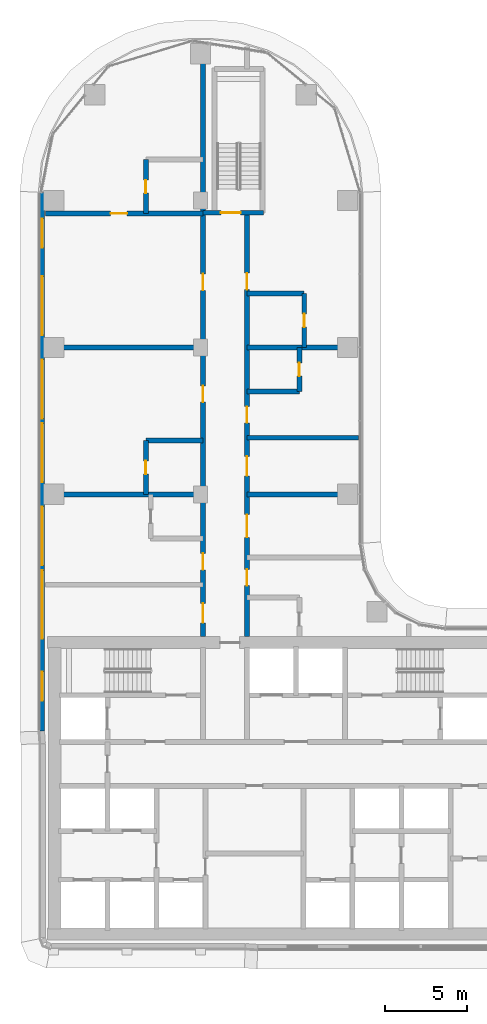
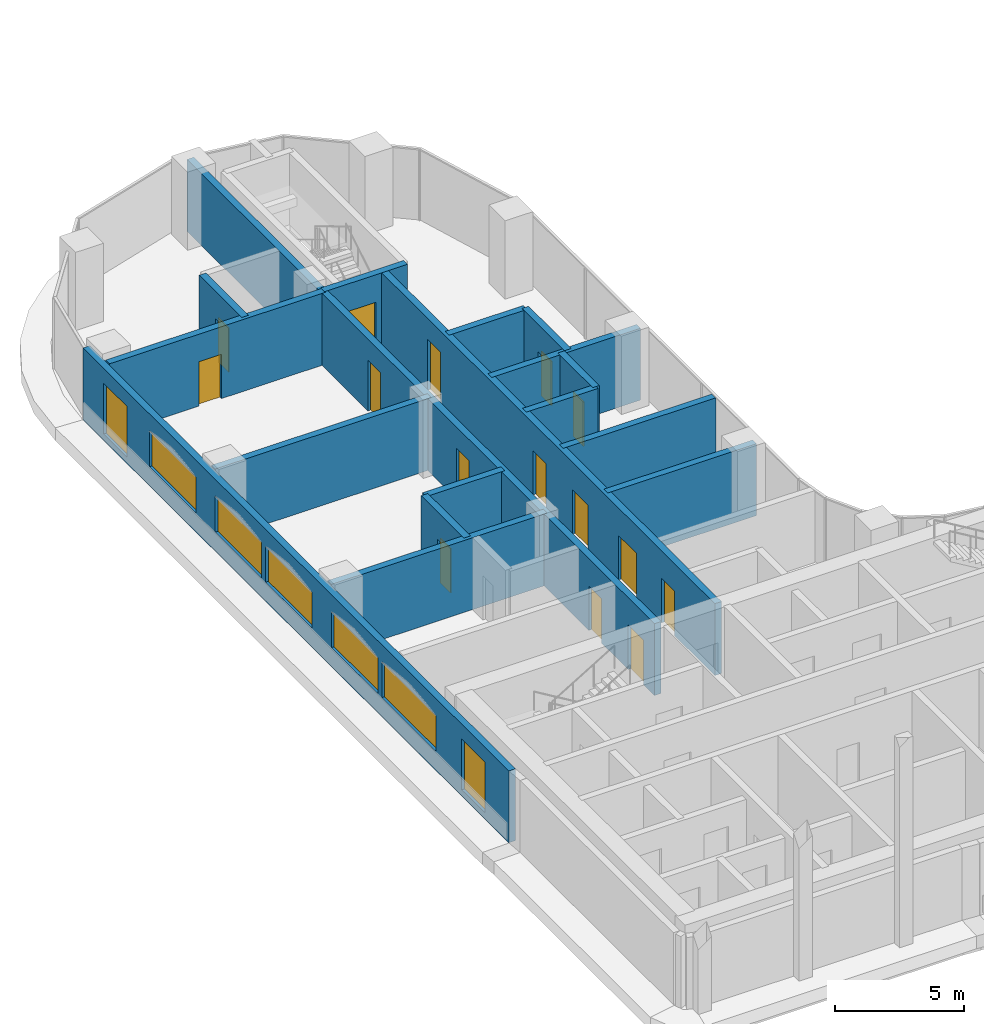
# One storey, part 24 of 40: 17 walls, 15 doors, 7 windows, 22 openings.
"""IFC4 building model written with IfcOpenShell, lengths in metres."""

from ifc_helpers import new_model, si_unit, direction, frame, frame_2d, origin, place, context, subcontext, project, spatial, rectangle, extrude, material, layer, layer_set, type_object, element, fill, save


model = new_model("IFC4")

# Units and contexts
model_context = context("Model", 3, precision=1e-05, world=origin(), true_north=direction((0.0, 1.0)))
body_context = subcontext(model_context, "Body", "Model", "MODEL_VIEW")
ifc_project = project(units=[si_unit("LENGTHUNIT", "METRE"), si_unit("AREAUNIT", "SQUARE_METRE"), si_unit("VOLUMEUNIT", "CUBIC_METRE"), si_unit("PLANEANGLEUNIT", "RADIAN"), si_unit("MASSUNIT", "GRAM", prefix="KILO")], contexts=[model_context])

# Site, building, storey
site_placement = place(None, origin())
site = spatial("IfcSite", under=ifc_project, at=site_placement, CompositionType="ELEMENT")
building_placement = place(site_placement, origin())
building = spatial("IfcBuilding", under=site, at=building_placement, Name="Ogive Portal Towers", CompositionType="ELEMENT")
storey_placement = place(building_placement, frame((0.0, 0.0, 87.10009765625)))
storey = spatial("IfcBuildingStorey", under=building, at=storey_placement, Name="L20", CompositionType="ELEMENT", Elevation=87.10009765625)

# Wall, openings, windows
ifc_material_1 = material(Name="Limestone cladding on lightweight block wall", Category="masonry")
ifc_layer_1 = layer(ifc_material_1, 0.300048828125)
ifc_layer_set_1 = layer_set([ifc_layer_1], Name="EXTERNAL WALL 300 STONE")
wall_type_1 = type_object("IfcWallType", Name="EXTERNAL WALL 300 STONE", PredefinedType="SOLIDWALL", material=ifc_layer_set_1)
wall_1_placement = place(storey_placement, frame((30.794921875, 66.9921875, 0.0), z_axis=(0.0, 0.0, 1.0), x_axis=(0.0, -1.0, 0.0)))
wall_1 = element("IfcWall", 1, at=wall_1_placement, inside=storey, type_object=wall_type_1, Name="A:L20:f24:r0:wall", PredefinedType="SOLIDWALL", context=body_context, shape_type="SweptSolid", body=[
    extrude(rectangle(XDim=32.9814453125, YDim=0.300048828125, at=frame_2d((16.49072265625, 0.0))), origin(), (0.0, 0.0, 1.0), 3.39990234375),
])
opening_1_placement = place(wall_1_placement, frame((1.595947265625, 0.0, 0.300048828125)))
opening_1 = element("IfcOpeningElement", 2, at=opening_1_placement, cuts=wall_1, Name="Opening WN10", PredefinedType="OPENING", context=body_context, shape_type="SweptSolid", body=[
    extrude(rectangle(XDim=1.800048828125, YDim=2.39990234375, at=frame_2d((0.89990234375, 1.199951171875))), frame((0.0, 0.16015625, 0.0), z_axis=(0.0, -1.0, 0.0), x_axis=(1.0, 0.0, 0.0)), (0.0, 0.0, 1.0), 0.320068359375),
])
opening_2_placement = place(wall_1_placement, frame((5.14208984375, 0.0, 0.89990234375)))
opening_2 = element("IfcOpeningElement", 3, at=opening_2_placement, cuts=wall_1, Name="Opening WN14", PredefinedType="OPENING", context=body_context, shape_type="SweptSolid", body=[
    extrude(rectangle(XDim=3.60009765625, YDim=1.699951171875, at=frame_2d((1.800048828125, 0.85009765625))), frame((0.0, 0.16015625, 0.0), z_axis=(0.0, -1.0, 0.0), x_axis=(1.0, 0.0, 0.0)), (0.0, 0.0, 1.0), 0.320068359375),
])
opening_3_placement = place(wall_1_placement, frame((10.2421875, 0.0, 0.89990234375)))
opening_3 = element("IfcOpeningElement", 4, at=opening_3_placement, cuts=wall_1, Name="Opening WN14", PredefinedType="OPENING", context=body_context, shape_type="SweptSolid", body=[
    extrude(rectangle(XDim=3.60009765625, YDim=1.699951171875, at=frame_2d((1.800048828125, 0.85009765625))), frame((0.0, 0.16015625, 0.0), z_axis=(0.0, -1.0, 0.0), x_axis=(1.0, 0.0, 0.0)), (0.0, 0.0, 1.0), 0.320068359375),
])
opening_4_placement = place(wall_1_placement, frame((14.14208984375, 0.0, 0.89990234375)))
opening_4 = element("IfcOpeningElement", 5, at=opening_4_placement, cuts=wall_1, Name="Opening WN14", PredefinedType="OPENING", context=body_context, shape_type="SweptSolid", body=[
    extrude(rectangle(XDim=3.60009765625, YDim=1.699951171875, at=frame_2d((1.800048828125, 0.85009765625))), frame((0.0, 0.16015625, 0.0), z_axis=(0.0, -1.0, 0.0), x_axis=(1.0, 0.0, 0.0)), (0.0, 0.0, 1.0), 0.320068359375),
])
opening_5_placement = place(wall_1_placement, frame((19.2421875, 0.0, 0.89990234375)))
opening_5 = element("IfcOpeningElement", 6, at=opening_5_placement, cuts=wall_1, Name="Opening WN14", PredefinedType="OPENING", context=body_context, shape_type="SweptSolid", body=[
    extrude(rectangle(XDim=3.60009765625, YDim=1.699951171875, at=frame_2d((1.800048828125, 0.85009765625))), frame((0.0, 0.16015625, 0.0), z_axis=(0.0, -1.0, 0.0), x_axis=(1.0, 0.0, 0.0)), (0.0, 0.0, 1.0), 0.320068359375),
])
opening_6_placement = place(wall_1_placement, frame((23.14208984375, 0.0, 0.89990234375)))
opening_6 = element("IfcOpeningElement", 7, at=opening_6_placement, cuts=wall_1, Name="Opening WN13", PredefinedType="OPENING", context=body_context, shape_type="SweptSolid", body=[
    extrude(rectangle(XDim=4.199951171875, YDim=1.699951171875, at=frame_2d((2.10009765625, 0.85009765625))), frame((0.0, 0.16015625, 0.0), z_axis=(0.0, -1.0, 0.0), x_axis=(1.0, 0.0, 0.0)), (0.0, 0.0, 1.0), 0.320068359375),
])
opening_7_placement = place(wall_1_placement, frame((29.336669921875, 0.0, 0.300048828125)))
opening_7 = element("IfcOpeningElement", 8, at=opening_7_placement, cuts=wall_1, Name="Opening WN10", PredefinedType="OPENING", context=body_context, shape_type="SweptSolid", body=[
    extrude(rectangle(XDim=1.800048828125, YDim=2.39990234375, at=frame_2d((0.89990234375, 1.199951171875))), frame((0.0, 0.16015625, 0.0), z_axis=(0.0, -1.0, 0.0), x_axis=(1.0, 0.0, 0.0)), (0.0, 0.0, 1.0), 0.320068359375),
])
ifc_material_2 = material(Name="Glass, clear low-iron insulated glazing", Category="glass")
window_type_1 = type_object("IfcWindowType", Name="WINDOW RIBBON LANCET 3600x1700", PartitioningType="TRIPLE_PANEL_VERTICAL", PredefinedType="WINDOW", material=ifc_material_2)
window_1_placement = place(opening_2_placement, origin())
window_1 = element("IfcWindow", 9, at=window_1_placement, inside=storey, type_object=window_type_1, Name="A:L20:f24:r0:w1", OverallHeight=1.699951171875, OverallWidth=3.60009765625, PartitioningType="SINGLE_PANEL", PredefinedType="WINDOW", context=body_context, shape_type="SweptSolid", body=[
    extrude(rectangle(XDim=3.60009765625, YDim=1.699951171875, at=frame_2d((1.800048828125, 0.85009765625))), frame((0.0, 0.030029296875, 0.0), z_axis=(0.0, -1.0, 0.0), x_axis=(1.0, 0.0, 0.0)), (0.0, 0.0, 1.0), 0.06005859375),
])
fill(opening_2, window_1)
window_2_placement = place(opening_3_placement, origin())
window_2 = element("IfcWindow", 10, at=window_2_placement, inside=storey, type_object=window_type_1, Name="A:L20:f24:r0:w2", OverallHeight=1.699951171875, OverallWidth=3.60009765625, PartitioningType="SINGLE_PANEL", PredefinedType="WINDOW", context=body_context, shape_type="SweptSolid", body=[
    extrude(rectangle(XDim=3.60009765625, YDim=1.699951171875, at=frame_2d((1.800048828125, 0.85009765625))), frame((0.0, 0.030029296875, 0.0), z_axis=(0.0, -1.0, 0.0), x_axis=(1.0, 0.0, 0.0)), (0.0, 0.0, 1.0), 0.06005859375),
])
fill(opening_3, window_2)
window_3_placement = place(opening_4_placement, origin())
window_3 = element("IfcWindow", 11, at=window_3_placement, inside=storey, type_object=window_type_1, Name="A:L20:f24:r0:w3", OverallHeight=1.699951171875, OverallWidth=3.60009765625, PartitioningType="SINGLE_PANEL", PredefinedType="WINDOW", context=body_context, shape_type="SweptSolid", body=[
    extrude(rectangle(XDim=3.60009765625, YDim=1.699951171875, at=frame_2d((1.800048828125, 0.85009765625))), frame((0.0, 0.030029296875, 0.0), z_axis=(0.0, -1.0, 0.0), x_axis=(1.0, 0.0, 0.0)), (0.0, 0.0, 1.0), 0.06005859375),
])
fill(opening_4, window_3)
window_4_placement = place(opening_5_placement, origin())
window_4 = element("IfcWindow", 12, at=window_4_placement, inside=storey, type_object=window_type_1, Name="A:L20:f24:r0:w4", OverallHeight=1.699951171875, OverallWidth=3.60009765625, PartitioningType="SINGLE_PANEL", PredefinedType="WINDOW", context=body_context, shape_type="SweptSolid", body=[
    extrude(rectangle(XDim=3.60009765625, YDim=1.699951171875, at=frame_2d((1.800048828125, 0.85009765625))), frame((0.0, 0.030029296875, 0.0), z_axis=(0.0, -1.0, 0.0), x_axis=(1.0, 0.0, 0.0)), (0.0, 0.0, 1.0), 0.06005859375),
])
fill(opening_5, window_4)
window_type_2 = type_object("IfcWindowType", Name="WINDOW RIBBON LANCET 4200x1700", PartitioningType="TRIPLE_PANEL_VERTICAL", PredefinedType="WINDOW", material=ifc_material_2)
window_5_placement = place(opening_6_placement, origin())
window_5 = element("IfcWindow", 13, at=window_5_placement, inside=storey, type_object=window_type_2, Name="A:L20:f24:r0:w5", OverallHeight=1.699951171875, OverallWidth=4.199951171875, PartitioningType="SINGLE_PANEL", PredefinedType="WINDOW", context=body_context, shape_type="SweptSolid", body=[
    extrude(rectangle(XDim=4.199951171875, YDim=1.699951171875, at=frame_2d((2.10009765625, 0.85009765625))), frame((0.0, 0.030029296875, 0.0), z_axis=(0.0, -1.0, 0.0), x_axis=(1.0, 0.0, 0.0)), (0.0, 0.0, 1.0), 0.06005859375),
])
fill(opening_6, window_5)
window_type_3 = type_object("IfcWindowType", Name="WINDOW SUITE CORNER 1800x2400", PartitioningType="DOUBLE_PANEL_VERTICAL", PredefinedType="WINDOW", material=ifc_material_2)
window_6_placement = place(opening_1_placement, origin())
window_6 = element("IfcWindow", 14, at=window_6_placement, inside=storey, type_object=window_type_3, Name="A:L20:f24:r0:w0", OverallHeight=2.39990234375, OverallWidth=1.800048828125, PartitioningType="SINGLE_PANEL", PredefinedType="WINDOW", context=body_context, shape_type="SweptSolid", body=[
    extrude(rectangle(XDim=1.800048828125, YDim=2.39990234375, at=frame_2d((0.89990234375, 1.199951171875))), frame((0.0, 0.030029296875, 0.0), z_axis=(0.0, -1.0, 0.0), x_axis=(1.0, 0.0, 0.0)), (0.0, 0.0, 1.0), 0.06005859375),
])
fill(opening_1, window_6)
window_7_placement = place(opening_7_placement, origin())
window_7 = element("IfcWindow", 15, at=window_7_placement, inside=storey, type_object=window_type_3, Name="A:L20:f24:r0:w6", OverallHeight=2.39990234375, OverallWidth=1.800048828125, PartitioningType="SINGLE_PANEL", PredefinedType="WINDOW", context=body_context, shape_type="SweptSolid", body=[
    extrude(rectangle(XDim=1.800048828125, YDim=2.39990234375, at=frame_2d((0.89990234375, 1.199951171875))), frame((0.0, 0.030029296875, 0.0), z_axis=(0.0, -1.0, 0.0), x_axis=(1.0, 0.0, 0.0)), (0.0, 0.0, 1.0), 0.06005859375),
])
fill(opening_7, window_7)

# Wall, opening, door
ifc_material_3 = material(Name="Concrete C50/60", Category="concrete")
ifc_layer_2 = layer(ifc_material_3, 0.300048828125)
ifc_layer_set_2 = layer_set([ifc_layer_2], Name="STAIR WALL 300 C50")
wall_type_2 = type_object("IfcWallType", Name="STAIR WALL 300 C50", PredefinedType="SHEAR", material=ifc_layer_set_2)
wall_2_placement = place(storey_placement, frame((40.64990234375, 65.75, 0.0), z_axis=(0.0, 0.0, 1.0), x_axis=(1.0, 0.0, 0.0)))
wall_2 = element("IfcWall", 16, at=wall_2_placement, inside=storey, type_object=wall_type_2, Name="Stair wall ST-A3 L20", PredefinedType="SHEAR", context=body_context, shape_type="SweptSolid", body=[
    extrude(rectangle(XDim=3.7001953125, YDim=0.300048828125, at=frame_2d((1.85009765625, 0.0))), origin(), (0.0, 0.0, 1.0), 3.39990234375),
])
opening_8_placement = place(wall_2_placement, frame((1.10009765625, 0.0, 0.0)))
opening_8 = element("IfcOpeningElement", 17, at=opening_8_placement, cuts=wall_2, Name="Opening D07-065", PredefinedType="OPENING", context=body_context, shape_type="SweptSolid", body=[
    extrude(rectangle(XDim=1.199951171875, YDim=2.10009765625, at=frame_2d((0.60009765625, 1.050048828125))), frame((0.0, 0.16015625, 0.0), z_axis=(0.0, -1.0, 0.0), x_axis=(1.0, 0.0, 0.0)), (0.0, 0.0, 1.0), 0.320068359375),
])
ifc_material_4 = material(Name="Steel fire door", Category="steel")
door_type_1 = type_object("IfcDoorType", Name="DT-STAIR-1200x2100-FD90S", OperationType="SINGLE_SWING_LEFT", PredefinedType="DOOR", material=ifc_material_4)
door_1_placement = place(opening_8_placement, origin())
door_1 = element("IfcDoor", 18, at=door_1_placement, inside=storey, type_object=door_type_1, Name="Door D07-065", OperationType="SINGLE_SWING_RIGHT", OverallHeight=2.10009765625, OverallWidth=1.199951171875, PredefinedType="DOOR", context=body_context, shape_type="SweptSolid", body=[
    extrude(rectangle(XDim=1.199951171875, YDim=2.10009765625, at=frame_2d((0.60009765625, 1.050048828125))), frame((0.0, 0.02490234375, 0.0), z_axis=(0.0, -1.0, 0.0), x_axis=(1.0, 0.0, 0.0)), (0.0, 0.0, 1.0), 0.050048828125),
])
fill(opening_8, door_1)

# Walls
ifc_material_5 = material(Name="Gypsum board partition on steel studs", Category="steel")
ifc_layer_3 = layer(ifc_material_5, 0.300048828125)
ifc_layer_set_3 = layer_set([ifc_layer_3], Name="WT-PART-300-EI 60")
wall_type_3 = type_object("IfcWallType", Name="WT-PART-300-EI 60", PredefinedType="PARTITIONING", material=ifc_layer_set_3)
wall_3_placement = place(storey_placement, frame((30.9951171875, 48.5, 0.0), z_axis=(0.0, 0.0, 1.0), x_axis=(1.0, 0.0, 0.0)))
element("IfcWall", 19, at=wall_3_placement, inside=storey, type_object=wall_type_3, Name="Wall L20:w020", PredefinedType="PARTITIONING", context=body_context, shape_type="SweptSolid", body=[
    extrude(rectangle(XDim=9.65478515625, YDim=0.300048828125, at=frame_2d((4.827392578125, 0.0))), origin(), (0.0, 0.0, 1.0), 3.39990234375),
])
wall_4_placement = place(storey_placement, frame((43.35009765625, 48.5, 0.0), z_axis=(0.0, 0.0, 1.0), x_axis=(1.0, 0.0, 0.0)))
element("IfcWall", 20, at=wall_4_placement, inside=storey, type_object=wall_type_3, Name="Wall L20:w021", PredefinedType="PARTITIONING", context=body_context, shape_type="SweptSolid", body=[
    extrude(rectangle(XDim=6.65478515625, YDim=0.300048828125, at=frame_2d((3.327392578125, 0.0))), origin(), (0.0, 0.0, 1.0), 3.39990234375),
])
wall_5_placement = place(storey_placement, frame((37.14990234375, 51.800048828125, 0.0), z_axis=(0.0, 0.0, 1.0), x_axis=(1.0, 0.0, 0.0)))
element("IfcWall", 21, at=wall_5_placement, inside=storey, type_object=wall_type_3, Name="Wall L20:w022", PredefinedType="PARTITIONING", context=body_context, shape_type="SweptSolid", body=[
    extrude(rectangle(XDim=3.5, YDim=0.300048828125, at=frame_2d((1.75, 0.0))), origin(), (0.0, 0.0, 1.0), 3.39990234375),
])
wall_6_placement = place(storey_placement, frame((43.35009765625, 51.969970703125, 0.0), z_axis=(0.0, 0.0, 1.0), x_axis=(1.0, 0.0, 0.0)))
element("IfcWall", 22, at=wall_6_placement, inside=storey, type_object=wall_type_3, Name="Wall L20:w023", PredefinedType="PARTITIONING", context=body_context, shape_type="SweptSolid", body=[
    extrude(rectangle(XDim=6.8349609375, YDim=0.300048828125, at=frame_2d((3.41748046875, 0.0))), origin(), (0.0, 0.0, 1.0), 3.39990234375),
])
wall_7_placement = place(storey_placement, frame((43.35009765625, 54.800048828125, 0.0), z_axis=(0.0, 0.0, 1.0), x_axis=(1.0, 0.0, 0.0)))
element("IfcWall", 23, at=wall_7_placement, inside=storey, type_object=wall_type_3, Name="Wall L20:w024", PredefinedType="PARTITIONING", context=body_context, shape_type="SweptSolid", body=[
    extrude(rectangle(XDim=3.199951171875, YDim=0.300048828125, at=frame_2d((1.60009765625, 0.0))), origin(), (0.0, 0.0, 1.0), 3.39990234375),
])
wall_8_placement = place(storey_placement, frame((30.9951171875, 57.5, 0.0), z_axis=(0.0, 0.0, 1.0), x_axis=(1.0, 0.0, 0.0)))
element("IfcWall", 24, at=wall_8_placement, inside=storey, type_object=wall_type_3, Name="Wall L20:w025", PredefinedType="PARTITIONING", context=body_context, shape_type="SweptSolid", body=[
    extrude(rectangle(XDim=9.65478515625, YDim=0.300048828125, at=frame_2d((4.827392578125, 0.0))), origin(), (0.0, 0.0, 1.0), 3.39990234375),
])
wall_9_placement = place(storey_placement, frame((43.35009765625, 57.5, 0.0), z_axis=(0.0, 0.0, 1.0), x_axis=(1.0, 0.0, 0.0)))
element("IfcWall", 25, at=wall_9_placement, inside=storey, type_object=wall_type_3, Name="Wall L20:w026", PredefinedType="PARTITIONING", context=body_context, shape_type="SweptSolid", body=[
    extrude(rectangle(XDim=6.65478515625, YDim=0.300048828125, at=frame_2d((3.327392578125, 0.0))), origin(), (0.0, 0.0, 1.0), 3.39990234375),
])
wall_10_placement = place(storey_placement, frame((43.35009765625, 60.800048828125, 0.0), z_axis=(0.0, 0.0, 1.0), x_axis=(1.0, 0.0, 0.0)))
element("IfcWall", 26, at=wall_10_placement, inside=storey, type_object=wall_type_3, Name="Wall L20:w027", PredefinedType="PARTITIONING", context=body_context, shape_type="SweptSolid", body=[
    extrude(rectangle(XDim=3.5, YDim=0.300048828125, at=frame_2d((1.75, 0.0))), origin(), (0.0, 0.0, 1.0), 3.39990234375),
])

# Wall, opening, door
wall_11_placement = place(storey_placement, frame((30.9951171875, 65.699951171875, 0.0), z_axis=(0.0, 0.0, 1.0), x_axis=(1.0, 0.0, 0.0)))
wall_11 = element("IfcWall", 27, at=wall_11_placement, inside=storey, type_object=wall_type_3, Name="Wall L20:w028", PredefinedType="PARTITIONING", context=body_context, shape_type="SweptSolid", body=[
    extrude(rectangle(XDim=9.65478515625, YDim=0.300048828125, at=frame_2d((4.827392578125, 0.0))), origin(), (0.0, 0.0, 1.0), 3.39990234375),
])
opening_9_placement = place(wall_11_placement, frame((4.0048828125, 0.0, 0.0)))
opening_9 = element("IfcOpeningElement", 28, at=opening_9_placement, cuts=wall_11, Name="Opening D07-059", PredefinedType="OPENING", context=body_context, shape_type="SweptSolid", body=[
    extrude(rectangle(XDim=1.0, YDim=2.10009765625, at=frame_2d((0.5, 1.050048828125))), frame((0.0, 0.16015625, 0.0), z_axis=(0.0, -1.0, 0.0), x_axis=(1.0, 0.0, 0.0)), (0.0, 0.0, 1.0), 0.320068359375),
])
door_type_2 = type_object("IfcDoorType", Name="DT-ENTRY-1000x2100-FD60S", OperationType="SINGLE_SWING_LEFT", PredefinedType="DOOR", material=ifc_material_4)
door_2_placement = place(opening_9_placement, origin())
door_2 = element("IfcDoor", 29, at=door_2_placement, inside=storey, type_object=door_type_2, Name="Door D07-059", OperationType="SINGLE_SWING_LEFT", OverallHeight=2.10009765625, OverallWidth=1.0, PredefinedType="DOOR", context=body_context, shape_type="SweptSolid", body=[
    extrude(rectangle(XDim=1.0, YDim=2.10009765625, at=frame_2d((0.5, 1.050048828125))), frame((0.0, 0.02490234375, 0.0), z_axis=(0.0, -1.0, 0.0), x_axis=(1.0, 0.0, 0.0)), (0.0, 0.0, 1.0), 0.050048828125),
])
fill(opening_9, door_2)

wall_12_placement = place(storey_placement, frame((37.14990234375, 48.5, 0.0), z_axis=(0.0, 0.0, 1.0), x_axis=(0.0, 1.0, 0.0)))
wall_12 = element("IfcWall", 30, at=wall_12_placement, inside=storey, type_object=wall_type_3, Name="Wall L20:w032", PredefinedType="PARTITIONING", context=body_context, shape_type="SweptSolid", body=[
    extrude(rectangle(XDim=3.300048828125, YDim=0.300048828125, at=frame_2d((1.64990234375, 0.0))), origin(), (0.0, 0.0, 1.0), 3.39990234375),
])
opening_10_placement = place(wall_12_placement, frame((1.25, 0.0, 0.0)))
opening_10 = element("IfcOpeningElement", 31, at=opening_10_placement, cuts=wall_12, Name="Opening D07-054", PredefinedType="OPENING", context=body_context, shape_type="SweptSolid", body=[
    extrude(rectangle(XDim=0.800048828125, YDim=2.10009765625, at=frame_2d((0.39990234375, 1.050048828125))), frame((0.0, 0.16015625, 0.0), z_axis=(0.0, -1.0, 0.0), x_axis=(1.0, 0.0, 0.0)), (0.0, 0.0, 1.0), 0.320068359375),
])
door_type_3 = type_object("IfcDoorType", Name="DT-BATH-800x2100-FD60S", OperationType="SINGLE_SWING_LEFT", PredefinedType="DOOR", material=ifc_material_4)
door_3_placement = place(opening_10_placement, origin())
door_3 = element("IfcDoor", 32, at=door_3_placement, inside=storey, type_object=door_type_3, Name="Door D07-054", OperationType="SINGLE_SWING_RIGHT", OverallHeight=2.10009765625, OverallWidth=0.800048828125, PredefinedType="DOOR", context=body_context, shape_type="SweptSolid", body=[
    extrude(rectangle(XDim=0.800048828125, YDim=2.10009765625, at=frame_2d((0.39990234375, 1.050048828125))), frame((0.0, 0.02490234375, 0.0), z_axis=(0.0, -1.0, 0.0), x_axis=(1.0, 0.0, 0.0)), (0.0, 0.0, 1.0), 0.050048828125),
])
fill(opening_10, door_3)

wall_13_placement = place(storey_placement, frame((37.14990234375, 65.699951171875, 0.0), z_axis=(0.0, 0.0, 1.0), x_axis=(0.0, 1.0, 0.0)))
wall_13 = element("IfcWall", 33, at=wall_13_placement, inside=storey, type_object=wall_type_3, Name="Wall L20:w033", PredefinedType="PARTITIONING", context=body_context, shape_type="SweptSolid", body=[
    extrude(rectangle(XDim=3.300048828125, YDim=0.300048828125, at=frame_2d((1.64990234375, 0.0))), origin(), (0.0, 0.0, 1.0), 3.39990234375),
])
opening_11_placement = place(wall_13_placement, frame((1.25, 0.0, 0.0)))
opening_11 = element("IfcOpeningElement", 34, at=opening_11_placement, cuts=wall_13, Name="Opening D07-060", PredefinedType="OPENING", context=body_context, shape_type="SweptSolid", body=[
    extrude(rectangle(XDim=0.800048828125, YDim=2.10009765625, at=frame_2d((0.39990234375, 1.050048828125))), frame((0.0, 0.16015625, 0.0), z_axis=(0.0, -1.0, 0.0), x_axis=(1.0, 0.0, 0.0)), (0.0, 0.0, 1.0), 0.320068359375),
])
door_4_placement = place(opening_11_placement, origin())
door_4 = element("IfcDoor", 35, at=door_4_placement, inside=storey, type_object=door_type_3, Name="Door D07-060", OperationType="SINGLE_SWING_LEFT", OverallHeight=2.10009765625, OverallWidth=0.800048828125, PredefinedType="DOOR", context=body_context, shape_type="SweptSolid", body=[
    extrude(rectangle(XDim=0.800048828125, YDim=2.10009765625, at=frame_2d((0.39990234375, 1.050048828125))), frame((0.0, 0.02490234375, 0.0), z_axis=(0.0, -1.0, 0.0), x_axis=(1.0, 0.0, 0.0)), (0.0, 0.0, 1.0), 0.050048828125),
])
fill(opening_11, door_4)

# Wall, openings, doors
wall_14_placement = place(storey_placement, frame((40.64990234375, 39.800048828125, 0.0), z_axis=(0.0, 0.0, 1.0), x_axis=(0.0, 1.0, 0.0)))
wall_14 = element("IfcWall", 36, at=wall_14_placement, inside=storey, type_object=wall_type_3, Name="Wall L20:w035", PredefinedType="PARTITIONING", context=body_context, shape_type="SweptSolid", body=[
    extrude(rectangle(XDim=36.204833984375, YDim=0.300048828125, at=frame_2d((18.1025390625, 0.0))), origin(), (0.0, 0.0, 1.0), 3.39990234375),
])
opening_12_placement = place(wall_14_placement, frame((0.8349609375, 0.0, 0.0)))
opening_12 = element("IfcOpeningElement", 37, at=opening_12_placement, cuts=wall_14, Name="Opening D07-048", PredefinedType="OPENING", context=body_context, shape_type="SweptSolid", body=[
    extrude(rectangle(XDim=1.199951171875, YDim=2.10009765625, at=frame_2d((0.60009765625, 1.050048828125))), frame((0.0, 0.16015625, 0.0), z_axis=(0.0, -1.0, 0.0), x_axis=(1.0, 0.0, 0.0)), (0.0, 0.0, 1.0), 0.320068359375),
])
opening_13_placement = place(wall_14_placement, frame((4.0849609375, 0.0, 0.0)))
opening_13 = element("IfcOpeningElement", 38, at=opening_13_placement, cuts=wall_14, Name="Opening D07-050", PredefinedType="OPENING", context=body_context, shape_type="SweptSolid", body=[
    extrude(rectangle(XDim=1.0, YDim=2.10009765625, at=frame_2d((0.5, 1.050048828125))), frame((0.0, 0.16015625, 0.0), z_axis=(0.0, -1.0, 0.0), x_axis=(1.0, 0.0, 0.0)), (0.0, 0.0, 1.0), 0.320068359375),
])
opening_14_placement = place(wall_14_placement, frame((14.35009765625, 0.0, 0.0)))
opening_14 = element("IfcOpeningElement", 39, at=opening_14_placement, cuts=wall_14, Name="Opening D07-055", PredefinedType="OPENING", context=body_context, shape_type="SweptSolid", body=[
    extrude(rectangle(XDim=1.0, YDim=2.39990234375, at=frame_2d((0.5, 1.199951171875))), frame((0.0, 0.16015625, 0.0), z_axis=(0.0, -1.0, 0.0), x_axis=(1.0, 0.0, 0.0)), (0.0, 0.0, 1.0), 0.320068359375),
])
opening_15_placement = place(wall_14_placement, frame((21.199951171875, 0.0, 0.0)))
opening_15 = element("IfcOpeningElement", 40, at=opening_15_placement, cuts=wall_14, Name="Opening D07-058", PredefinedType="OPENING", context=body_context, shape_type="SweptSolid", body=[
    extrude(rectangle(XDim=1.0, YDim=2.39990234375, at=frame_2d((0.5, 1.199951171875))), frame((0.0, 0.16015625, 0.0), z_axis=(0.0, -1.0, 0.0), x_axis=(1.0, 0.0, 0.0)), (0.0, 0.0, 1.0), 0.320068359375),
])
door_5_placement = place(opening_13_placement, origin())
door_5 = element("IfcDoor", 41, at=door_5_placement, inside=storey, type_object=door_type_2, Name="Door D07-050", OperationType="SINGLE_SWING_RIGHT", OverallHeight=2.10009765625, OverallWidth=1.0, PredefinedType="DOOR", context=body_context, shape_type="SweptSolid", body=[
    extrude(rectangle(XDim=1.0, YDim=2.10009765625, at=frame_2d((0.5, 1.050048828125))), frame((0.0, 0.02490234375, 0.0), z_axis=(0.0, -1.0, 0.0), x_axis=(1.0, 0.0, 0.0)), (0.0, 0.0, 1.0), 0.050048828125),
])
fill(opening_13, door_5)
door_type_4 = type_object("IfcDoorType", Name="DT-ENTRY-1000x2400-FD60S", OperationType="SINGLE_SWING_LEFT", PredefinedType="DOOR", material=ifc_material_4)
door_6_placement = place(opening_14_placement, origin())
door_6 = element("IfcDoor", 42, at=door_6_placement, inside=storey, type_object=door_type_4, Name="Door D07-055", OperationType="SINGLE_SWING_LEFT", OverallHeight=2.39990234375, OverallWidth=1.0, PredefinedType="DOOR", context=body_context, shape_type="SweptSolid", body=[
    extrude(rectangle(XDim=1.0, YDim=2.39990234375, at=frame_2d((0.5, 1.199951171875))), frame((0.0, 0.02490234375, 0.0), z_axis=(0.0, -1.0, 0.0), x_axis=(1.0, 0.0, 0.0)), (0.0, 0.0, 1.0), 0.050048828125),
])
fill(opening_14, door_6)
door_7_placement = place(opening_15_placement, origin())
door_7 = element("IfcDoor", 43, at=door_7_placement, inside=storey, type_object=door_type_4, Name="Door D07-058", OperationType="SINGLE_SWING_RIGHT", OverallHeight=2.39990234375, OverallWidth=1.0, PredefinedType="DOOR", context=body_context, shape_type="SweptSolid", body=[
    extrude(rectangle(XDim=1.0, YDim=2.39990234375, at=frame_2d((0.5, 1.199951171875))), frame((0.0, 0.02490234375, 0.0), z_axis=(0.0, -1.0, 0.0), x_axis=(1.0, 0.0, 0.0)), (0.0, 0.0, 1.0), 0.050048828125),
])
fill(opening_15, door_7)
door_type_5 = type_object("IfcDoorType", Name="DT-ENTRY-1200x2100-FD60S", OperationType="SINGLE_SWING_LEFT", PredefinedType="DOOR", material=ifc_material_4)
door_8_placement = place(opening_12_placement, origin())
door_8 = element("IfcDoor", 44, at=door_8_placement, inside=storey, type_object=door_type_5, Name="Door D07-048", OperationType="SINGLE_SWING_LEFT", OverallHeight=2.10009765625, OverallWidth=1.199951171875, PredefinedType="DOOR", context=body_context, shape_type="SweptSolid", body=[
    extrude(rectangle(XDim=1.199951171875, YDim=2.10009765625, at=frame_2d((0.60009765625, 1.050048828125))), frame((0.0, 0.02490234375, 0.0), z_axis=(0.0, -1.0, 0.0), x_axis=(1.0, 0.0, 0.0)), (0.0, 0.0, 1.0), 0.050048828125),
])
fill(opening_12, door_8)

# Wall, opening, door
wall_15_placement = place(storey_placement, frame((46.550048828125, 54.800048828125, 0.0), z_axis=(0.0, 0.0, 1.0), x_axis=(0.0, 1.0, 0.0)))
wall_15 = element("IfcWall", 45, at=wall_15_placement, inside=storey, type_object=wall_type_3, Name="Wall L20:w041", PredefinedType="PARTITIONING", context=body_context, shape_type="SweptSolid", body=[
    extrude(rectangle(XDim=2.699951171875, YDim=0.300048828125, at=frame_2d((1.35009765625, 0.0))), origin(), (0.0, 0.0, 1.0), 3.39990234375),
])
opening_16_placement = place(wall_15_placement, frame((0.949951171875, 0.0, 0.0)))
opening_16 = element("IfcOpeningElement", 46, at=opening_16_placement, cuts=wall_15, Name="Opening D07-052", PredefinedType="OPENING", context=body_context, shape_type="SweptSolid", body=[
    extrude(rectangle(XDim=0.800048828125, YDim=2.10009765625, at=frame_2d((0.39990234375, 1.050048828125))), frame((0.0, 0.16015625, 0.0), z_axis=(0.0, -1.0, 0.0), x_axis=(1.0, 0.0, 0.0)), (0.0, 0.0, 1.0), 0.320068359375),
])
door_9_placement = place(opening_16_placement, origin())
door_9 = element("IfcDoor", 47, at=door_9_placement, inside=storey, type_object=door_type_3, Name="Door D07-052", OperationType="SINGLE_SWING_LEFT", OverallHeight=2.10009765625, OverallWidth=0.800048828125, PredefinedType="DOOR", context=body_context, shape_type="SweptSolid", body=[
    extrude(rectangle(XDim=0.800048828125, YDim=2.10009765625, at=frame_2d((0.39990234375, 1.050048828125))), frame((0.0, 0.02490234375, 0.0), z_axis=(0.0, -1.0, 0.0), x_axis=(1.0, 0.0, 0.0)), (0.0, 0.0, 1.0), 0.050048828125),
])
fill(opening_16, door_9)

wall_16_placement = place(storey_placement, frame((46.85009765625, 57.5, 0.0), z_axis=(0.0, 0.0, 1.0), x_axis=(0.0, 1.0, 0.0)))
wall_16 = element("IfcWall", 48, at=wall_16_placement, inside=storey, type_object=wall_type_3, Name="Wall L20:w042", PredefinedType="PARTITIONING", context=body_context, shape_type="SweptSolid", body=[
    extrude(rectangle(XDim=3.300048828125, YDim=0.300048828125, at=frame_2d((1.64990234375, 0.0))), origin(), (0.0, 0.0, 1.0), 3.39990234375),
])
opening_17_placement = place(wall_16_placement, frame((1.25, 0.0, 0.0)))
opening_17 = element("IfcOpeningElement", 49, at=opening_17_placement, cuts=wall_16, Name="Opening D07-056", PredefinedType="OPENING", context=body_context, shape_type="SweptSolid", body=[
    extrude(rectangle(XDim=0.800048828125, YDim=2.10009765625, at=frame_2d((0.39990234375, 1.050048828125))), frame((0.0, 0.16015625, 0.0), z_axis=(0.0, -1.0, 0.0), x_axis=(1.0, 0.0, 0.0)), (0.0, 0.0, 1.0), 0.320068359375),
])
door_10_placement = place(opening_17_placement, origin())
door_10 = element("IfcDoor", 50, at=door_10_placement, inside=storey, type_object=door_type_3, Name="Door D07-056", OperationType="SINGLE_SWING_LEFT", OverallHeight=2.10009765625, OverallWidth=0.800048828125, PredefinedType="DOOR", context=body_context, shape_type="SweptSolid", body=[
    extrude(rectangle(XDim=0.800048828125, YDim=2.10009765625, at=frame_2d((0.39990234375, 1.050048828125))), frame((0.0, 0.02490234375, 0.0), z_axis=(0.0, -1.0, 0.0), x_axis=(1.0, 0.0, 0.0)), (0.0, 0.0, 1.0), 0.050048828125),
])
fill(opening_17, door_10)

# Wall, openings, doors
ifc_material_6 = material(Name="Concrete C40/50", Category="concrete")
ifc_layer_4 = layer(ifc_material_6, 0.300048828125)
ifc_layer_set_4 = layer_set([ifc_layer_4], Name="WT-SHAFT-300")
wall_type_4 = type_object("IfcWallType", Name="WT-SHAFT-300", PredefinedType="SOLIDWALL", material=ifc_layer_set_4)
wall_17_placement = place(storey_placement, frame((43.35009765625, 39.800048828125, 0.0), z_axis=(0.0, 0.0, 1.0), x_axis=(0.0, 1.0, 0.0)))
wall_17 = element("IfcWall", 51, at=wall_17_placement, inside=storey, type_object=wall_type_4, Name="Wall L20:w037", PredefinedType="SOLIDWALL", context=body_context, shape_type="SweptSolid", body=[
    extrude(rectangle(XDim=26.0, YDim=0.300048828125, at=frame_2d((13.0, 0.0))), origin(), (0.0, 0.0, 1.0), 3.39990234375),
])
opening_18_placement = place(wall_17_placement, frame((3.114990234375, 0.0, 0.0)))
opening_18 = element("IfcOpeningElement", 52, at=opening_18_placement, cuts=wall_17, Name="Opening D07-046", PredefinedType="OPENING", context=body_context, shape_type="SweptSolid", body=[
    extrude(rectangle(XDim=1.0, YDim=2.10009765625, at=frame_2d((0.5, 1.050048828125))), frame((0.0, 0.16015625, 0.0), z_axis=(0.0, -1.0, 0.0), x_axis=(1.0, 0.0, 0.0)), (0.0, 0.0, 1.0), 0.320068359375),
])
opening_19_placement = place(wall_17_placement, frame((6.06494140625, 0.0, 0.0)))
opening_19 = element("IfcOpeningElement", 53, at=opening_19_placement, cuts=wall_17, Name="Opening D07-047", PredefinedType="OPENING", context=body_context, shape_type="SweptSolid", body=[
    extrude(rectangle(XDim=1.39990234375, YDim=2.10009765625, at=frame_2d((0.699951171875, 1.050048828125))), frame((0.0, 0.16015625, 0.0), z_axis=(0.0, -1.0, 0.0), x_axis=(1.0, 0.0, 0.0)), (0.0, 0.0, 1.0), 0.320068359375),
])
opening_20_placement = place(wall_17_placement, frame((9.8349609375, 0.0, 0.0)))
opening_20 = element("IfcOpeningElement", 54, at=opening_20_placement, cuts=wall_17, Name="Opening D07-051", PredefinedType="OPENING", context=body_context, shape_type="SweptSolid", body=[
    extrude(rectangle(XDim=1.199951171875, YDim=2.10009765625, at=frame_2d((0.60009765625, 1.050048828125))), frame((0.0, 0.16015625, 0.0), z_axis=(0.0, -1.0, 0.0), x_axis=(1.0, 0.0, 0.0)), (0.0, 0.0, 1.0), 0.320068359375),
])
opening_21_placement = place(wall_17_placement, frame((13.0849609375, 0.0, 0.0)))
opening_21 = element("IfcOpeningElement", 55, at=opening_21_placement, cuts=wall_17, Name="Opening D07-053", PredefinedType="OPENING", context=body_context, shape_type="SweptSolid", body=[
    extrude(rectangle(XDim=1.0, YDim=2.10009765625, at=frame_2d((0.5, 1.050048828125))), frame((0.0, 0.16015625, 0.0), z_axis=(0.0, -1.0, 0.0), x_axis=(1.0, 0.0, 0.0)), (0.0, 0.0, 1.0), 0.320068359375),
])
opening_22_placement = place(wall_17_placement, frame((21.25, 0.0, 0.0)))
opening_22 = element("IfcOpeningElement", 56, at=opening_22_placement, cuts=wall_17, Name="Opening D07-057", PredefinedType="OPENING", context=body_context, shape_type="SweptSolid", body=[
    extrude(rectangle(XDim=1.0, YDim=2.39990234375, at=frame_2d((0.5, 1.199951171875))), frame((0.0, 0.16015625, 0.0), z_axis=(0.0, -1.0, 0.0), x_axis=(1.0, 0.0, 0.0)), (0.0, 0.0, 1.0), 0.320068359375),
])
door_type_6 = type_object("IfcDoorType", Name="DT-ENTRY-1000x2100-FD90S", OperationType="SINGLE_SWING_LEFT", PredefinedType="DOOR", material=ifc_material_4)
door_11_placement = place(opening_18_placement, origin())
door_11 = element("IfcDoor", 57, at=door_11_placement, inside=storey, type_object=door_type_6, Name="Door D07-046", OperationType="SINGLE_SWING_LEFT", OverallHeight=2.10009765625, OverallWidth=1.0, PredefinedType="DOOR", context=body_context, shape_type="SweptSolid", body=[
    extrude(rectangle(XDim=1.0, YDim=2.10009765625, at=frame_2d((0.5, 1.050048828125))), frame((0.0, 0.02490234375, 0.0), z_axis=(0.0, -1.0, 0.0), x_axis=(1.0, 0.0, 0.0)), (0.0, 0.0, 1.0), 0.050048828125),
])
fill(opening_18, door_11)
door_12_placement = place(opening_21_placement, origin())
door_12 = element("IfcDoor", 58, at=door_12_placement, inside=storey, type_object=door_type_6, Name="Door D07-053", OperationType="SINGLE_SWING_RIGHT", OverallHeight=2.10009765625, OverallWidth=1.0, PredefinedType="DOOR", context=body_context, shape_type="SweptSolid", body=[
    extrude(rectangle(XDim=1.0, YDim=2.10009765625, at=frame_2d((0.5, 1.050048828125))), frame((0.0, 0.02490234375, 0.0), z_axis=(0.0, -1.0, 0.0), x_axis=(1.0, 0.0, 0.0)), (0.0, 0.0, 1.0), 0.050048828125),
])
fill(opening_21, door_12)
door_type_7 = type_object("IfcDoorType", Name="DT-ENTRY-1000x2400-FD90S", OperationType="SINGLE_SWING_LEFT", PredefinedType="DOOR", material=ifc_material_4)
door_13_placement = place(opening_22_placement, origin())
door_13 = element("IfcDoor", 59, at=door_13_placement, inside=storey, type_object=door_type_7, Name="Door D07-057", OperationType="SINGLE_SWING_LEFT", OverallHeight=2.39990234375, OverallWidth=1.0, PredefinedType="DOOR", context=body_context, shape_type="SweptSolid", body=[
    extrude(rectangle(XDim=1.0, YDim=2.39990234375, at=frame_2d((0.5, 1.199951171875))), frame((0.0, 0.02490234375, 0.0), z_axis=(0.0, -1.0, 0.0), x_axis=(1.0, 0.0, 0.0)), (0.0, 0.0, 1.0), 0.050048828125),
])
fill(opening_22, door_13)
door_type_8 = type_object("IfcDoorType", Name="DT-ENTRY-1200x2100-FD90S", OperationType="SINGLE_SWING_LEFT", PredefinedType="DOOR", material=ifc_material_4)
door_14_placement = place(opening_20_placement, origin())
door_14 = element("IfcDoor", 60, at=door_14_placement, inside=storey, type_object=door_type_8, Name="Door D07-051", OperationType="SINGLE_SWING_LEFT", OverallHeight=2.10009765625, OverallWidth=1.199951171875, PredefinedType="DOOR", context=body_context, shape_type="SweptSolid", body=[
    extrude(rectangle(XDim=1.199951171875, YDim=2.10009765625, at=frame_2d((0.60009765625, 1.050048828125))), frame((0.0, 0.02490234375, 0.0), z_axis=(0.0, -1.0, 0.0), x_axis=(1.0, 0.0, 0.0)), (0.0, 0.0, 1.0), 0.050048828125),
])
fill(opening_20, door_14)
door_type_9 = type_object("IfcDoorType", Name="DT-ENTRY-1400x2100-FD90S", OperationType="SINGLE_SWING_LEFT", PredefinedType="DOOR", material=ifc_material_4)
door_15_placement = place(opening_19_placement, origin())
door_15 = element("IfcDoor", 61, at=door_15_placement, inside=storey, type_object=door_type_9, Name="Door D07-047", OperationType="SINGLE_SWING_LEFT", OverallHeight=2.10009765625, OverallWidth=1.39990234375, PredefinedType="DOOR", context=body_context, shape_type="SweptSolid", body=[
    extrude(rectangle(XDim=1.39990234375, YDim=2.10009765625, at=frame_2d((0.699951171875, 1.050048828125))), frame((0.0, 0.02490234375, 0.0), z_axis=(0.0, -1.0, 0.0), x_axis=(1.0, 0.0, 0.0)), (0.0, 0.0, 1.0), 0.050048828125),
])
fill(opening_19, door_15)

save(model, "model.ifc")
